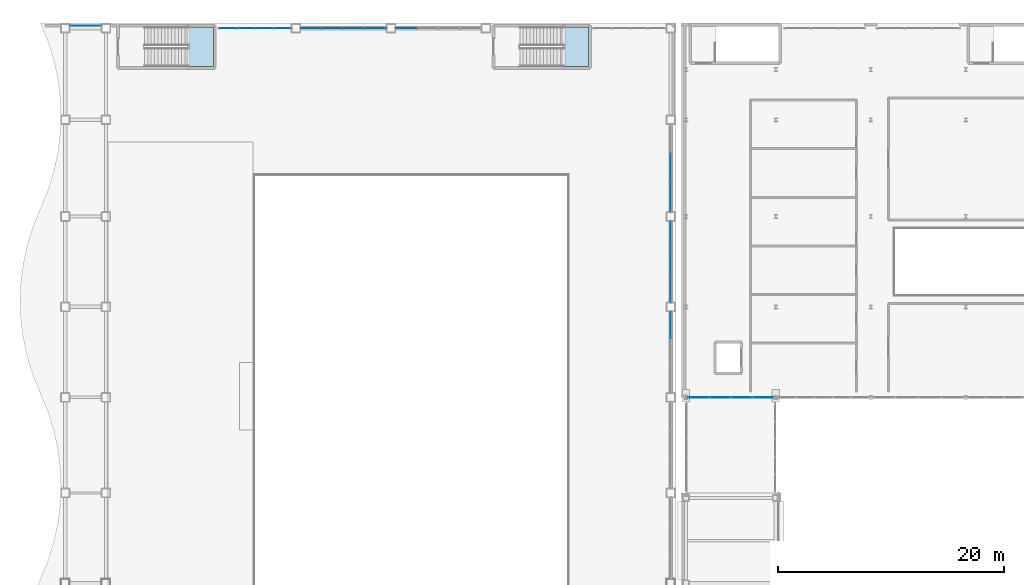
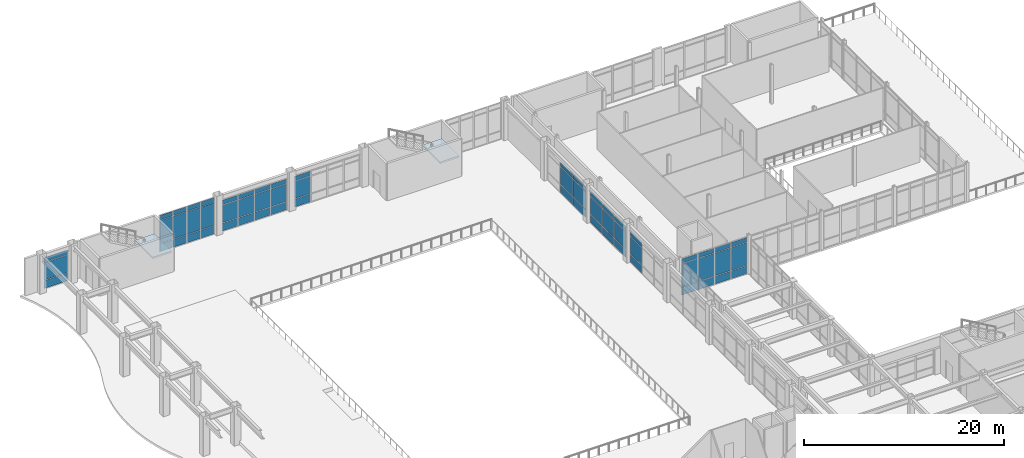
# One storey, part 121 of 154: 60 plates, 2 slabs, 10 elements without a shape of their own.
"""IFC4 building model written with IfcOpenShell, lengths in metres."""

from ifc_helpers import new_model, si_unit, direction, frame, origin, origin_2d, place, context, subcontext, project, spatial, polyline, rectangle, outline, extrude, material, layer, layer_set, type_object, element, aggregate, save


model = new_model("IFC4")

# Units and contexts
model_context = context("Model", 3, precision=1e-05, world=origin(), true_north=direction((0.0, 1.0)))
body_context = subcontext(model_context, "Body", "Model", "MODEL_VIEW")
ifc_project = project(units=[si_unit("LENGTHUNIT", "METRE"), si_unit("AREAUNIT", "SQUARE_METRE"), si_unit("VOLUMEUNIT", "CUBIC_METRE"), si_unit("PLANEANGLEUNIT", "RADIAN"), si_unit("MASSUNIT", "GRAM", prefix="KILO")], contexts=[model_context])

# Site, building, storey
site_placement = place(None, origin())
site = spatial("IfcSite", under=ifc_project, at=site_placement, CompositionType="ELEMENT")
building_placement = place(site_placement, origin())
building = spatial("IfcBuilding", under=site, at=building_placement, Name="Kazehara Bluff Congress Hotel", CompositionType="ELEMENT")
storey_placement = place(building_placement, frame((0.0, 0.0, 10.199951171875)))
storey = spatial("IfcBuildingStorey", under=building, at=storey_placement, Name="L02", CompositionType="ELEMENT", Elevation=10.199951171875)

# Curtain wall, plates
ifc_material_1 = material(Name="Anodised aluminium", Category="aluminium")
ifc_layer_1 = layer(ifc_material_1, 0.159912109375)
ifc_layer_set_1 = layer_set([ifc_layer_1], Name="Anodised aluminium")
curtain_wall_type_1 = type_object("IfcCurtainWallType", Name="TP-CW-10", PredefinedType="NOTDEFINED", material=ifc_layer_set_1)
curtain_wall_1_placement = place(storey_placement, origin())
curtain_wall_1 = element("IfcCurtainWall", 1, at=curtain_wall_1_placement, inside=storey, type_object=curtain_wall_type_1, Name="L02 curtain wall CW-10 CW-V1-L02-Y11355-2560", PredefinedType="NOTDEFINED")
ifc_material_2 = material(Name="Insulated low-E double glazing", Category="glass")
ifc_layer_2 = layer(ifc_material_2, 0.028076171875)
ifc_layer_set_2 = layer_set([ifc_layer_2], Name="Insulated low-E double glazing")
plate_type_1 = type_object("IfcPlateType", Name="TP-CWP-01", PredefinedType="CURTAIN_PANEL", material=ifc_layer_set_2)
plate_1_placement = place(storey_placement, frame((26.566162109375, 113.550048828125, 0.06494140625), z_axis=(0.0, 0.0, 1.0), x_axis=(1.0, 0.0, 0.0)))
plate_1 = element("IfcPlate", 2, at=plate_1_placement, type_object=plate_type_1, Name="CW-10 panel 1.1", PredefinedType="CURTAIN_PANEL", context=body_context, shape_type="SweptSolid", body=[
    extrude(rectangle(XDim=1.802490234375, YDim=0.028076171875, at=origin_2d()), origin(), (0.0, 0.0, 1.0), 0.952392578125),
])
plate_2_placement = place(storey_placement, frame((26.566162109375, 113.550048828125, 1.08251953125), z_axis=(0.0, 0.0, 1.0), x_axis=(1.0, 0.0, 0.0)))
plate_2 = element("IfcPlate", 3, at=plate_2_placement, type_object=plate_type_1, Name="CW-10 panel 1.2", PredefinedType="CURTAIN_PANEL", context=body_context, shape_type="SweptSolid", body=[
    extrude(rectangle(XDim=1.802490234375, YDim=0.028076171875, at=origin_2d()), origin(), (0.0, 0.0, 1.0), 2.1201171875),
])
plate_3_placement = place(storey_placement, frame((26.566162109375, 113.550048828125, 3.267578125), z_axis=(0.0, 0.0, 1.0), x_axis=(1.0, 0.0, 0.0)))
plate_3 = element("IfcPlate", 4, at=plate_3_placement, type_object=plate_type_1, Name="CW-10 panel 1.3", PredefinedType="CURTAIN_PANEL", context=body_context, shape_type="SweptSolid", body=[
    extrude(rectangle(XDim=1.802490234375, YDim=0.028076171875, at=origin_2d()), origin(), (0.0, 0.0, 1.0), 0.552490234375),
])
plate_4_placement = place(storey_placement, frame((28.449951171875, 113.550048828125, 0.06494140625), z_axis=(0.0, 0.0, 1.0), x_axis=(1.0, 0.0, 0.0)))
plate_4 = element("IfcPlate", 5, at=plate_4_placement, type_object=plate_type_1, Name="CW-10 panel 2.1", PredefinedType="CURTAIN_PANEL", context=body_context, shape_type="SweptSolid", body=[
    extrude(rectangle(XDim=1.8349609375, YDim=0.028076171875, at=origin_2d()), origin(), (0.0, 0.0, 1.0), 0.952392578125),
])
plate_5_placement = place(storey_placement, frame((28.449951171875, 113.550048828125, 1.08251953125), z_axis=(0.0, 0.0, 1.0), x_axis=(1.0, 0.0, 0.0)))
plate_5 = element("IfcPlate", 6, at=plate_5_placement, type_object=plate_type_1, Name="CW-10 panel 2.2", PredefinedType="CURTAIN_PANEL", context=body_context, shape_type="SweptSolid", body=[
    extrude(rectangle(XDim=1.8349609375, YDim=0.028076171875, at=origin_2d()), origin(), (0.0, 0.0, 1.0), 2.1201171875),
])
plate_6_placement = place(storey_placement, frame((28.449951171875, 113.550048828125, 3.267578125), z_axis=(0.0, 0.0, 1.0), x_axis=(1.0, 0.0, 0.0)))
plate_6 = element("IfcPlate", 7, at=plate_6_placement, type_object=plate_type_1, Name="CW-10 panel 2.3", PredefinedType="CURTAIN_PANEL", context=body_context, shape_type="SweptSolid", body=[
    extrude(rectangle(XDim=1.8349609375, YDim=0.028076171875, at=origin_2d()), origin(), (0.0, 0.0, 1.0), 0.552490234375),
])
plate_7_placement = place(storey_placement, frame((30.35009765625, 113.550048828125, 0.06494140625), z_axis=(0.0, 0.0, 1.0), x_axis=(1.0, 0.0, 0.0)))
plate_7 = element("IfcPlate", 8, at=plate_7_placement, type_object=plate_type_1, Name="CW-10 panel 3.1", PredefinedType="CURTAIN_PANEL", context=body_context, shape_type="SweptSolid", body=[
    extrude(rectangle(XDim=1.8349609375, YDim=0.028076171875, at=origin_2d()), origin(), (0.0, 0.0, 1.0), 0.952392578125),
])
plate_8_placement = place(storey_placement, frame((30.35009765625, 113.550048828125, 1.08251953125), z_axis=(0.0, 0.0, 1.0), x_axis=(1.0, 0.0, 0.0)))
plate_8 = element("IfcPlate", 9, at=plate_8_placement, type_object=plate_type_1, Name="CW-10 panel 3.2", PredefinedType="CURTAIN_PANEL", context=body_context, shape_type="SweptSolid", body=[
    extrude(rectangle(XDim=1.8349609375, YDim=0.028076171875, at=origin_2d()), origin(), (0.0, 0.0, 1.0), 2.1201171875),
])
plate_9_placement = place(storey_placement, frame((30.35009765625, 113.550048828125, 3.267578125), z_axis=(0.0, 0.0, 1.0), x_axis=(1.0, 0.0, 0.0)))
plate_9 = element("IfcPlate", 10, at=plate_9_placement, type_object=plate_type_1, Name="CW-10 panel 3.3", PredefinedType="CURTAIN_PANEL", context=body_context, shape_type="SweptSolid", body=[
    extrude(rectangle(XDim=1.8349609375, YDim=0.028076171875, at=origin_2d()), origin(), (0.0, 0.0, 1.0), 0.552490234375),
])
plate_10_placement = place(storey_placement, frame((32.233642578125, 113.550048828125, 0.06494140625), z_axis=(0.0, 0.0, 1.0), x_axis=(1.0, 0.0, 0.0)))
plate_10 = element("IfcPlate", 11, at=plate_10_placement, type_object=plate_type_1, Name="CW-10 panel 4.1", PredefinedType="CURTAIN_PANEL", context=body_context, shape_type="SweptSolid", body=[
    extrude(rectangle(XDim=1.802490234375, YDim=0.028076171875, at=origin_2d()), origin(), (0.0, 0.0, 1.0), 0.952392578125),
])
plate_11_placement = place(storey_placement, frame((32.233642578125, 113.550048828125, 1.08251953125), z_axis=(0.0, 0.0, 1.0), x_axis=(1.0, 0.0, 0.0)))
plate_11 = element("IfcPlate", 12, at=plate_11_placement, type_object=plate_type_1, Name="CW-10 panel 4.2", PredefinedType="CURTAIN_PANEL", context=body_context, shape_type="SweptSolid", body=[
    extrude(rectangle(XDim=1.802490234375, YDim=0.028076171875, at=origin_2d()), origin(), (0.0, 0.0, 1.0), 2.1201171875),
])
plate_12_placement = place(storey_placement, frame((32.233642578125, 113.550048828125, 3.267578125), z_axis=(0.0, 0.0, 1.0), x_axis=(1.0, 0.0, 0.0)))
plate_12 = element("IfcPlate", 13, at=plate_12_placement, type_object=plate_type_1, Name="CW-10 panel 4.3", PredefinedType="CURTAIN_PANEL", context=body_context, shape_type="SweptSolid", body=[
    extrude(rectangle(XDim=1.802490234375, YDim=0.028076171875, at=origin_2d()), origin(), (0.0, 0.0, 1.0), 0.552490234375),
])
aggregate(curtain_wall_1, [plate_1, plate_2, plate_3, plate_4, plate_5, plate_6, plate_7, plate_8, plate_9, plate_10, plate_11, plate_12])

curtain_wall_2_placement = place(storey_placement, origin())
curtain_wall_2 = element("IfcCurtainWall", 14, at=curtain_wall_2_placement, inside=storey, type_object=curtain_wall_type_1, Name="L02 curtain wall CW-10 CW-V1-L02-Y11355-3400", PredefinedType="NOTDEFINED")
plate_13_placement = place(storey_placement, frame((34.96630859375, 113.550048828125, 0.06494140625), z_axis=(0.0, 0.0, 1.0), x_axis=(1.0, 0.0, 0.0)))
plate_13 = element("IfcPlate", 15, at=plate_13_placement, type_object=plate_type_1, Name="CW-10 panel 1.1", PredefinedType="CURTAIN_PANEL", context=body_context, shape_type="SweptSolid", body=[
    extrude(rectangle(XDim=1.802490234375, YDim=0.028076171875, at=origin_2d()), origin(), (0.0, 0.0, 1.0), 0.952392578125),
])
plate_14_placement = place(storey_placement, frame((34.96630859375, 113.550048828125, 1.08251953125), z_axis=(0.0, 0.0, 1.0), x_axis=(1.0, 0.0, 0.0)))
plate_14 = element("IfcPlate", 16, at=plate_14_placement, type_object=plate_type_1, Name="CW-10 panel 1.2", PredefinedType="CURTAIN_PANEL", context=body_context, shape_type="SweptSolid", body=[
    extrude(rectangle(XDim=1.802490234375, YDim=0.028076171875, at=origin_2d()), origin(), (0.0, 0.0, 1.0), 2.1201171875),
])
plate_15_placement = place(storey_placement, frame((34.96630859375, 113.550048828125, 3.267578125), z_axis=(0.0, 0.0, 1.0), x_axis=(1.0, 0.0, 0.0)))
plate_15 = element("IfcPlate", 17, at=plate_15_placement, type_object=plate_type_1, Name="CW-10 panel 1.3", PredefinedType="CURTAIN_PANEL", context=body_context, shape_type="SweptSolid", body=[
    extrude(rectangle(XDim=1.802490234375, YDim=0.028076171875, at=origin_2d()), origin(), (0.0, 0.0, 1.0), 0.552490234375),
])
aggregate(curtain_wall_2, [plate_13, plate_14, plate_15])

ifc_material_3 = material(Name="Anodised aluminium", Category="aluminium")
ifc_layer_3 = layer(ifc_material_3, 0.159912109375)
ifc_layer_set_3 = layer_set([ifc_layer_3], Name="Anodised aluminium")
curtain_wall_type_2 = type_object("IfcCurtainWallType", Name="TP-CW-23", PredefinedType="NOTDEFINED", material=ifc_layer_set_3)
curtain_wall_3_placement = place(storey_placement, origin())
curtain_wall_3 = element("IfcCurtainWall", 18, at=curtain_wall_3_placement, inside=storey, type_object=curtain_wall_type_2, Name="L02 curtain wall CW-23 CW-V1-L02-X5835-8130", PredefinedType="NOTDEFINED")
plate_16_placement = place(storey_placement, frame((58.35009765625, 87.28369140625, 0.06494140625), z_axis=(0.0, 0.0, 1.0), x_axis=(0.0, 1.0, 0.0)))
plate_16 = element("IfcPlate", 19, at=plate_16_placement, type_object=plate_type_1, Name="CW-23 panel 3.1", PredefinedType="CURTAIN_PANEL", context=body_context, shape_type="SweptSolid", body=[
    extrude(rectangle(XDim=2.302490234375, YDim=0.028076171875, at=origin_2d()), origin(), (0.0, 0.0, 1.0), 0.952392578125),
])
plate_17_placement = place(storey_placement, frame((58.35009765625, 87.28369140625, 1.08251953125), z_axis=(0.0, 0.0, 1.0), x_axis=(0.0, 1.0, 0.0)))
plate_17 = element("IfcPlate", 20, at=plate_17_placement, type_object=plate_type_1, Name="CW-23 panel 3.2", PredefinedType="CURTAIN_PANEL", context=body_context, shape_type="SweptSolid", body=[
    extrude(rectangle(XDim=2.302490234375, YDim=0.028076171875, at=origin_2d()), origin(), (0.0, 0.0, 1.0), 2.1201171875),
])
plate_18_placement = place(storey_placement, frame((58.35009765625, 87.28369140625, 3.267578125), z_axis=(0.0, 0.0, 1.0), x_axis=(0.0, 1.0, 0.0)))
plate_18 = element("IfcPlate", 21, at=plate_18_placement, type_object=plate_type_1, Name="CW-23 panel 3.3", PredefinedType="CURTAIN_PANEL", context=body_context, shape_type="SweptSolid", body=[
    extrude(rectangle(XDim=2.302490234375, YDim=0.028076171875, at=origin_2d()), origin(), (0.0, 0.0, 1.0), 0.552490234375),
])
aggregate(curtain_wall_3, [plate_16, plate_17, plate_18])

curtain_wall_4_placement = place(storey_placement, origin())
curtain_wall_4 = element("IfcCurtainWall", 22, at=curtain_wall_4_placement, inside=storey, type_object=curtain_wall_type_2, Name="L02 curtain wall CW-23 CW-V1-L02-X5835-8930", PredefinedType="NOTDEFINED")
plate_19_placement = place(storey_placement, frame((58.35009765625, 90.516357421875, 0.06494140625), z_axis=(0.0, 0.0, 1.0), x_axis=(0.0, 1.0, 0.0)))
plate_19 = element("IfcPlate", 23, at=plate_19_placement, type_object=plate_type_1, Name="CW-23 panel 1.1", PredefinedType="CURTAIN_PANEL", context=body_context, shape_type="SweptSolid", body=[
    extrude(rectangle(XDim=2.302490234375, YDim=0.028076171875, at=origin_2d()), origin(), (0.0, 0.0, 1.0), 0.952392578125),
])
plate_20_placement = place(storey_placement, frame((58.35009765625, 90.516357421875, 1.08251953125), z_axis=(0.0, 0.0, 1.0), x_axis=(0.0, 1.0, 0.0)))
plate_20 = element("IfcPlate", 24, at=plate_20_placement, type_object=plate_type_1, Name="CW-23 panel 1.2", PredefinedType="CURTAIN_PANEL", context=body_context, shape_type="SweptSolid", body=[
    extrude(rectangle(XDim=2.302490234375, YDim=0.028076171875, at=origin_2d()), origin(), (0.0, 0.0, 1.0), 2.1201171875),
])
plate_21_placement = place(storey_placement, frame((58.35009765625, 90.516357421875, 3.267578125), z_axis=(0.0, 0.0, 1.0), x_axis=(0.0, 1.0, 0.0)))
plate_21 = element("IfcPlate", 25, at=plate_21_placement, type_object=plate_type_1, Name="CW-23 panel 1.3", PredefinedType="CURTAIN_PANEL", context=body_context, shape_type="SweptSolid", body=[
    extrude(rectangle(XDim=2.302490234375, YDim=0.028076171875, at=origin_2d()), origin(), (0.0, 0.0, 1.0), 0.552490234375),
])
plate_22_placement = place(storey_placement, frame((58.35009765625, 92.89990234375, 0.06494140625), z_axis=(0.0, 0.0, 1.0), x_axis=(0.0, 1.0, 0.0)))
plate_22 = element("IfcPlate", 26, at=plate_22_placement, type_object=plate_type_1, Name="CW-23 panel 2.1", PredefinedType="CURTAIN_PANEL", context=body_context, shape_type="SweptSolid", body=[
    extrude(rectangle(XDim=2.3349609375, YDim=0.028076171875, at=origin_2d()), origin(), (0.0, 0.0, 1.0), 0.952392578125),
])
plate_23_placement = place(storey_placement, frame((58.35009765625, 92.89990234375, 1.08251953125), z_axis=(0.0, 0.0, 1.0), x_axis=(0.0, 1.0, 0.0)))
plate_23 = element("IfcPlate", 27, at=plate_23_placement, type_object=plate_type_1, Name="CW-23 panel 2.2", PredefinedType="CURTAIN_PANEL", context=body_context, shape_type="SweptSolid", body=[
    extrude(rectangle(XDim=2.3349609375, YDim=0.028076171875, at=origin_2d()), origin(), (0.0, 0.0, 1.0), 2.1201171875),
])
plate_24_placement = place(storey_placement, frame((58.35009765625, 92.89990234375, 3.267578125), z_axis=(0.0, 0.0, 1.0), x_axis=(0.0, 1.0, 0.0)))
plate_24 = element("IfcPlate", 28, at=plate_24_placement, type_object=plate_type_1, Name="CW-23 panel 2.3", PredefinedType="CURTAIN_PANEL", context=body_context, shape_type="SweptSolid", body=[
    extrude(rectangle(XDim=2.3349609375, YDim=0.028076171875, at=origin_2d()), origin(), (0.0, 0.0, 1.0), 0.552490234375),
])
plate_25_placement = place(storey_placement, frame((58.35009765625, 95.28369140625, 0.06494140625), z_axis=(0.0, 0.0, 1.0), x_axis=(0.0, 1.0, 0.0)))
plate_25 = element("IfcPlate", 29, at=plate_25_placement, type_object=plate_type_1, Name="CW-23 panel 3.1", PredefinedType="CURTAIN_PANEL", context=body_context, shape_type="SweptSolid", body=[
    extrude(rectangle(XDim=2.302490234375, YDim=0.028076171875, at=origin_2d()), origin(), (0.0, 0.0, 1.0), 0.952392578125),
])
plate_26_placement = place(storey_placement, frame((58.35009765625, 95.28369140625, 1.08251953125), z_axis=(0.0, 0.0, 1.0), x_axis=(0.0, 1.0, 0.0)))
plate_26 = element("IfcPlate", 30, at=plate_26_placement, type_object=plate_type_1, Name="CW-23 panel 3.2", PredefinedType="CURTAIN_PANEL", context=body_context, shape_type="SweptSolid", body=[
    extrude(rectangle(XDim=2.302490234375, YDim=0.028076171875, at=origin_2d()), origin(), (0.0, 0.0, 1.0), 2.1201171875),
])
plate_27_placement = place(storey_placement, frame((58.35009765625, 95.28369140625, 3.267578125), z_axis=(0.0, 0.0, 1.0), x_axis=(0.0, 1.0, 0.0)))
plate_27 = element("IfcPlate", 31, at=plate_27_placement, type_object=plate_type_1, Name="CW-23 panel 3.3", PredefinedType="CURTAIN_PANEL", context=body_context, shape_type="SweptSolid", body=[
    extrude(rectangle(XDim=2.302490234375, YDim=0.028076171875, at=origin_2d()), origin(), (0.0, 0.0, 1.0), 0.552490234375),
])
aggregate(curtain_wall_4, [plate_19, plate_20, plate_21, plate_22, plate_23, plate_24, plate_25, plate_26, plate_27])

ifc_material_4 = material(Name="Anodised aluminium", Category="aluminium")
ifc_layer_4 = layer(ifc_material_4, 0.159912109375)
ifc_layer_set_4 = layer_set([ifc_layer_4], Name="Anodised aluminium")
curtain_wall_type_3 = type_object("IfcCurtainWallType", Name="TP-CW-24", PredefinedType="NOTDEFINED", material=ifc_layer_set_4)
curtain_wall_5_placement = place(storey_placement, origin())
curtain_wall_5 = element("IfcCurtainWall", 32, at=curtain_wall_5_placement, inside=storey, type_object=curtain_wall_type_3, Name="L02 curtain wall CW-24 CW-V1-L02-X5835-9730", PredefinedType="NOTDEFINED")
plate_28_placement = place(storey_placement, frame((58.35009765625, 98.60791015625, 0.06494140625), z_axis=(0.0, 0.0, 1.0), x_axis=(0.0, 1.0, 0.0)))
plate_28 = element("IfcPlate", 33, at=plate_28_placement, type_object=plate_type_1, Name="CW-24 panel 1.1", PredefinedType="CURTAIN_PANEL", context=body_context, shape_type="SweptSolid", body=[
    extrude(rectangle(XDim=2.48583984375, YDim=0.028076171875, at=origin_2d()), origin(), (0.0, 0.0, 1.0), 0.952392578125),
])
plate_29_placement = place(storey_placement, frame((58.35009765625, 98.60791015625, 1.08251953125), z_axis=(0.0, 0.0, 1.0), x_axis=(0.0, 1.0, 0.0)))
plate_29 = element("IfcPlate", 34, at=plate_29_placement, type_object=plate_type_1, Name="CW-24 panel 1.2", PredefinedType="CURTAIN_PANEL", context=body_context, shape_type="SweptSolid", body=[
    extrude(rectangle(XDim=2.48583984375, YDim=0.028076171875, at=origin_2d()), origin(), (0.0, 0.0, 1.0), 2.1201171875),
])
plate_30_placement = place(storey_placement, frame((58.35009765625, 98.60791015625, 3.267578125), z_axis=(0.0, 0.0, 1.0), x_axis=(0.0, 1.0, 0.0)))
plate_30 = element("IfcPlate", 35, at=plate_30_placement, type_object=plate_type_1, Name="CW-24 panel 1.3", PredefinedType="CURTAIN_PANEL", context=body_context, shape_type="SweptSolid", body=[
    extrude(rectangle(XDim=2.48583984375, YDim=0.028076171875, at=origin_2d()), origin(), (0.0, 0.0, 1.0), 0.552490234375),
])
plate_31_placement = place(storey_placement, frame((58.35009765625, 101.175048828125, 0.06494140625), z_axis=(0.0, 0.0, 1.0), x_axis=(0.0, 1.0, 0.0)))
plate_31 = element("IfcPlate", 36, at=plate_31_placement, type_object=plate_type_1, Name="CW-24 panel 2.1", PredefinedType="CURTAIN_PANEL", context=body_context, shape_type="SweptSolid", body=[
    extrude(rectangle(XDim=2.518310546875, YDim=0.028076171875, at=origin_2d()), origin(), (0.0, 0.0, 1.0), 0.952392578125),
])
plate_32_placement = place(storey_placement, frame((58.35009765625, 101.175048828125, 1.08251953125), z_axis=(0.0, 0.0, 1.0), x_axis=(0.0, 1.0, 0.0)))
plate_32 = element("IfcPlate", 37, at=plate_32_placement, type_object=plate_type_1, Name="CW-24 panel 2.2", PredefinedType="CURTAIN_PANEL", context=body_context, shape_type="SweptSolid", body=[
    extrude(rectangle(XDim=2.518310546875, YDim=0.028076171875, at=origin_2d()), origin(), (0.0, 0.0, 1.0), 2.1201171875),
])
plate_33_placement = place(storey_placement, frame((58.35009765625, 101.175048828125, 3.267578125), z_axis=(0.0, 0.0, 1.0), x_axis=(0.0, 1.0, 0.0)))
plate_33 = element("IfcPlate", 38, at=plate_33_placement, type_object=plate_type_1, Name="CW-24 panel 2.3", PredefinedType="CURTAIN_PANEL", context=body_context, shape_type="SweptSolid", body=[
    extrude(rectangle(XDim=2.518310546875, YDim=0.028076171875, at=origin_2d()), origin(), (0.0, 0.0, 1.0), 0.552490234375),
])
aggregate(curtain_wall_5, [plate_28, plate_29, plate_30, plate_31, plate_32, plate_33])

ifc_material_5 = material(Name="Anodised aluminium", Category="aluminium")
ifc_layer_5 = layer(ifc_material_5, 0.159912109375)
ifc_layer_set_5 = layer_set([ifc_layer_5], Name="Anodised aluminium")
curtain_wall_type_4 = type_object("IfcCurtainWallType", Name="TP-CW-09", PredefinedType="NOTDEFINED", material=ifc_layer_set_5)
curtain_wall_6_placement = place(storey_placement, origin())
curtain_wall_6 = element("IfcCurtainWall", 39, at=curtain_wall_6_placement, inside=storey, type_object=curtain_wall_type_4, Name="L02 curtain wall CW-09 CW-V1-L02-Y11355-1840", PredefinedType="NOTDEFINED")
ifc_material_6 = material(Name="Insulated low-E double glazing", Category="glass")
ifc_layer_6 = layer(ifc_material_6, 0.031982421875)
ifc_layer_set_6 = layer_set([ifc_layer_6], Name="Insulated low-E double glazing")
plate_type_2 = type_object("IfcPlateType", Name="TP-CWP-02", PredefinedType="CURTAIN_PANEL", material=ifc_layer_set_6)
plate_34_placement = place(storey_placement, frame((19.217529296875, 113.550048828125, 0.06005859375), z_axis=(0.0, 0.0, 1.0), x_axis=(1.0, 0.0, 0.0)))
plate_34 = element("IfcPlate", 40, at=plate_34_placement, type_object=plate_type_2, Name="CW-09 panel 1.1", PredefinedType="CURTAIN_PANEL", context=body_context, shape_type="SweptSolid", body=[
    extrude(rectangle(XDim=1.4951171875, YDim=0.031982421875, at=origin_2d()), origin(), (0.0, 0.0, 1.0), 0.9599609375),
])
plate_35_placement = place(storey_placement, frame((19.217529296875, 113.550048828125, 1.080078125), z_axis=(0.0, 0.0, 1.0), x_axis=(1.0, 0.0, 0.0)))
plate_35 = element("IfcPlate", 41, at=plate_35_placement, type_object=plate_type_2, Name="CW-09 panel 1.2", PredefinedType="CURTAIN_PANEL", context=body_context, shape_type="SweptSolid", body=[
    extrude(rectangle(XDim=1.4951171875, YDim=0.031982421875, at=origin_2d()), origin(), (0.0, 0.0, 1.0), 2.784912109375),
])
plate_36_placement = place(storey_placement, frame((19.217529296875, 113.550048828125, 3.925048828125), z_axis=(0.0, 0.0, 1.0), x_axis=(1.0, 0.0, 0.0)))
plate_36 = element("IfcPlate", 42, at=plate_36_placement, type_object=plate_type_2, Name="CW-09 panel 1.3", PredefinedType="CURTAIN_PANEL", context=body_context, shape_type="SweptSolid", body=[
    extrude(rectangle(XDim=1.4951171875, YDim=0.031982421875, at=origin_2d()), origin(), (0.0, 0.0, 1.0), 0.56005859375),
])
plate_37_placement = place(storey_placement, frame((20.800048828125, 113.550048828125, 0.06005859375), z_axis=(0.0, 0.0, 1.0), x_axis=(1.0, 0.0, 0.0)))
plate_37 = element("IfcPlate", 43, at=plate_37_placement, type_object=plate_type_2, Name="CW-09 panel 2.1", PredefinedType="CURTAIN_PANEL", context=body_context, shape_type="SweptSolid", body=[
    extrude(rectangle(XDim=1.530029296875, YDim=0.031982421875, at=origin_2d()), origin(), (0.0, 0.0, 1.0), 0.9599609375),
])
plate_38_placement = place(storey_placement, frame((20.800048828125, 113.550048828125, 1.080078125), z_axis=(0.0, 0.0, 1.0), x_axis=(1.0, 0.0, 0.0)))
plate_38 = element("IfcPlate", 44, at=plate_38_placement, type_object=plate_type_2, Name="CW-09 panel 2.2", PredefinedType="CURTAIN_PANEL", context=body_context, shape_type="SweptSolid", body=[
    extrude(rectangle(XDim=1.530029296875, YDim=0.031982421875, at=origin_2d()), origin(), (0.0, 0.0, 1.0), 2.784912109375),
])
plate_39_placement = place(storey_placement, frame((20.800048828125, 113.550048828125, 3.925048828125), z_axis=(0.0, 0.0, 1.0), x_axis=(1.0, 0.0, 0.0)))
plate_39 = element("IfcPlate", 45, at=plate_39_placement, type_object=plate_type_2, Name="CW-09 panel 2.3", PredefinedType="CURTAIN_PANEL", context=body_context, shape_type="SweptSolid", body=[
    extrude(rectangle(XDim=1.530029296875, YDim=0.031982421875, at=origin_2d()), origin(), (0.0, 0.0, 1.0), 0.56005859375),
])
plate_40_placement = place(storey_placement, frame((22.39990234375, 113.550048828125, 0.06005859375), z_axis=(0.0, 0.0, 1.0), x_axis=(1.0, 0.0, 0.0)))
plate_40 = element("IfcPlate", 46, at=plate_40_placement, type_object=plate_type_2, Name="CW-09 panel 3.1", PredefinedType="CURTAIN_PANEL", context=body_context, shape_type="SweptSolid", body=[
    extrude(rectangle(XDim=1.530029296875, YDim=0.031982421875, at=origin_2d()), origin(), (0.0, 0.0, 1.0), 0.9599609375),
])
plate_41_placement = place(storey_placement, frame((22.39990234375, 113.550048828125, 1.080078125), z_axis=(0.0, 0.0, 1.0), x_axis=(1.0, 0.0, 0.0)))
plate_41 = element("IfcPlate", 47, at=plate_41_placement, type_object=plate_type_2, Name="CW-09 panel 3.2", PredefinedType="CURTAIN_PANEL", context=body_context, shape_type="SweptSolid", body=[
    extrude(rectangle(XDim=1.530029296875, YDim=0.031982421875, at=origin_2d()), origin(), (0.0, 0.0, 1.0), 2.784912109375),
])
plate_42_placement = place(storey_placement, frame((22.39990234375, 113.550048828125, 3.925048828125), z_axis=(0.0, 0.0, 1.0), x_axis=(1.0, 0.0, 0.0)))
plate_42 = element("IfcPlate", 48, at=plate_42_placement, type_object=plate_type_2, Name="CW-09 panel 3.3", PredefinedType="CURTAIN_PANEL", context=body_context, shape_type="SweptSolid", body=[
    extrude(rectangle(XDim=1.530029296875, YDim=0.031982421875, at=origin_2d()), origin(), (0.0, 0.0, 1.0), 0.56005859375),
])
plate_43_placement = place(storey_placement, frame((23.982421875, 113.550048828125, 0.06005859375), z_axis=(0.0, 0.0, 1.0), x_axis=(1.0, 0.0, 0.0)))
plate_43 = element("IfcPlate", 49, at=plate_43_placement, type_object=plate_type_2, Name="CW-09 panel 4.1", PredefinedType="CURTAIN_PANEL", context=body_context, shape_type="SweptSolid", body=[
    extrude(rectangle(XDim=1.4951171875, YDim=0.031982421875, at=origin_2d()), origin(), (0.0, 0.0, 1.0), 0.9599609375),
])
plate_44_placement = place(storey_placement, frame((23.982421875, 113.550048828125, 1.080078125), z_axis=(0.0, 0.0, 1.0), x_axis=(1.0, 0.0, 0.0)))
plate_44 = element("IfcPlate", 50, at=plate_44_placement, type_object=plate_type_2, Name="CW-09 panel 4.2", PredefinedType="CURTAIN_PANEL", context=body_context, shape_type="SweptSolid", body=[
    extrude(rectangle(XDim=1.4951171875, YDim=0.031982421875, at=origin_2d()), origin(), (0.0, 0.0, 1.0), 2.784912109375),
])
plate_45_placement = place(storey_placement, frame((23.982421875, 113.550048828125, 3.925048828125), z_axis=(0.0, 0.0, 1.0), x_axis=(1.0, 0.0, 0.0)))
plate_45 = element("IfcPlate", 51, at=plate_45_placement, type_object=plate_type_2, Name="CW-09 panel 4.3", PredefinedType="CURTAIN_PANEL", context=body_context, shape_type="SweptSolid", body=[
    extrude(rectangle(XDim=1.4951171875, YDim=0.031982421875, at=origin_2d()), origin(), (0.0, 0.0, 1.0), 0.56005859375),
])
aggregate(curtain_wall_6, [plate_34, plate_35, plate_36, plate_37, plate_38, plate_39, plate_40, plate_41, plate_42, plate_43, plate_44, plate_45])

ifc_material_7 = material(Name="Anodised aluminium", Category="aluminium")
ifc_layer_7 = layer(ifc_material_7, 0.159912109375)
ifc_layer_set_7 = layer_set([ifc_layer_7], Name="Anodised aluminium")
curtain_wall_type_5 = type_object("IfcCurtainWallType", Name="TP-CW-38", PredefinedType="NOTDEFINED", material=ifc_layer_set_7)
curtain_wall_7_placement = place(storey_placement, origin())
curtain_wall_7 = element("IfcCurtainWall", 52, at=curtain_wall_7_placement, inside=storey, type_object=curtain_wall_type_5, Name="L02 curtain wall CW-38 CW-V3-L02-Y8090-5985", PredefinedType="NOTDEFINED")
plate_46_placement = place(storey_placement, frame((60.82373046875, 80.89990234375, 0.06494140625), z_axis=(0.0, 0.0, 1.0), x_axis=(1.0, 0.0, 0.0)))
plate_46 = element("IfcPlate", 53, at=plate_46_placement, type_object=plate_type_2, Name="CW-38 panel 1.1", PredefinedType="CURTAIN_PANEL", context=body_context, shape_type="SweptSolid", body=[
    extrude(rectangle(XDim=1.8076171875, YDim=0.031982421875, at=origin_2d()), origin(), (0.0, 0.0, 1.0), 0.952392578125),
])
plate_47_placement = place(storey_placement, frame((60.82373046875, 80.89990234375, 1.08251953125), z_axis=(0.0, 0.0, 1.0), x_axis=(1.0, 0.0, 0.0)))
plate_47 = element("IfcPlate", 54, at=plate_47_placement, type_object=plate_type_2, Name="CW-38 panel 1.2", PredefinedType="CURTAIN_PANEL", context=body_context, shape_type="SweptSolid", body=[
    extrude(rectangle(XDim=1.8076171875, YDim=0.031982421875, at=origin_2d()), origin(), (0.0, 0.0, 1.0), 2.780029296875),
])
plate_48_placement = place(storey_placement, frame((60.82373046875, 80.89990234375, 3.927734375), z_axis=(0.0, 0.0, 1.0), x_axis=(1.0, 0.0, 0.0)))
plate_48 = element("IfcPlate", 55, at=plate_48_placement, type_object=plate_type_2, Name="CW-38 panel 1.3", PredefinedType="CURTAIN_PANEL", context=body_context, shape_type="SweptSolid", body=[
    extrude(rectangle(XDim=1.8076171875, YDim=0.031982421875, at=origin_2d()), origin(), (0.0, 0.0, 1.0), 0.552490234375),
])
plate_49_placement = place(storey_placement, frame((62.71875, 80.89990234375, 0.06494140625), z_axis=(0.0, 0.0, 1.0), x_axis=(1.0, 0.0, 0.0)))
plate_49 = element("IfcPlate", 56, at=plate_49_placement, type_object=plate_type_2, Name="CW-38 panel 2.1", PredefinedType="CURTAIN_PANEL", context=body_context, shape_type="SweptSolid", body=[
    extrude(rectangle(XDim=1.842529296875, YDim=0.031982421875, at=origin_2d()), origin(), (0.0, 0.0, 1.0), 0.952392578125),
])
plate_50_placement = place(storey_placement, frame((62.71875, 80.89990234375, 1.08251953125), z_axis=(0.0, 0.0, 1.0), x_axis=(1.0, 0.0, 0.0)))
plate_50 = element("IfcPlate", 57, at=plate_50_placement, type_object=plate_type_2, Name="CW-38 panel 2.2", PredefinedType="CURTAIN_PANEL", context=body_context, shape_type="SweptSolid", body=[
    extrude(rectangle(XDim=1.842529296875, YDim=0.031982421875, at=origin_2d()), origin(), (0.0, 0.0, 1.0), 2.780029296875),
])
plate_51_placement = place(storey_placement, frame((62.71875, 80.89990234375, 3.927734375), z_axis=(0.0, 0.0, 1.0), x_axis=(1.0, 0.0, 0.0)))
plate_51 = element("IfcPlate", 58, at=plate_51_placement, type_object=plate_type_2, Name="CW-38 panel 2.3", PredefinedType="CURTAIN_PANEL", context=body_context, shape_type="SweptSolid", body=[
    extrude(rectangle(XDim=1.842529296875, YDim=0.031982421875, at=origin_2d()), origin(), (0.0, 0.0, 1.0), 0.552490234375),
])
plate_52_placement = place(storey_placement, frame((64.63134765625, 80.89990234375, 0.06494140625), z_axis=(0.0, 0.0, 1.0), x_axis=(1.0, 0.0, 0.0)))
plate_52 = element("IfcPlate", 59, at=plate_52_placement, type_object=plate_type_2, Name="CW-38 panel 3.1", PredefinedType="CURTAIN_PANEL", context=body_context, shape_type="SweptSolid", body=[
    extrude(rectangle(XDim=1.842529296875, YDim=0.031982421875, at=origin_2d()), origin(), (0.0, 0.0, 1.0), 0.952392578125),
])
plate_53_placement = place(storey_placement, frame((64.63134765625, 80.89990234375, 1.08251953125), z_axis=(0.0, 0.0, 1.0), x_axis=(1.0, 0.0, 0.0)))
plate_53 = element("IfcPlate", 60, at=plate_53_placement, type_object=plate_type_2, Name="CW-38 panel 3.2", PredefinedType="CURTAIN_PANEL", context=body_context, shape_type="SweptSolid", body=[
    extrude(rectangle(XDim=1.842529296875, YDim=0.031982421875, at=origin_2d()), origin(), (0.0, 0.0, 1.0), 2.780029296875),
])
plate_54_placement = place(storey_placement, frame((64.63134765625, 80.89990234375, 3.927734375), z_axis=(0.0, 0.0, 1.0), x_axis=(1.0, 0.0, 0.0)))
plate_54 = element("IfcPlate", 61, at=plate_54_placement, type_object=plate_type_2, Name="CW-38 panel 3.3", PredefinedType="CURTAIN_PANEL", context=body_context, shape_type="SweptSolid", body=[
    extrude(rectangle(XDim=1.842529296875, YDim=0.031982421875, at=origin_2d()), origin(), (0.0, 0.0, 1.0), 0.552490234375),
])
plate_55_placement = place(storey_placement, frame((66.5263671875, 80.89990234375, 0.06494140625), z_axis=(0.0, 0.0, 1.0), x_axis=(1.0, 0.0, 0.0)))
plate_55 = element("IfcPlate", 62, at=plate_55_placement, type_object=plate_type_2, Name="CW-38 panel 4.1", PredefinedType="CURTAIN_PANEL", context=body_context, shape_type="SweptSolid", body=[
    extrude(rectangle(XDim=1.8076171875, YDim=0.031982421875, at=origin_2d()), origin(), (0.0, 0.0, 1.0), 0.952392578125),
])
plate_56_placement = place(storey_placement, frame((66.5263671875, 80.89990234375, 1.08251953125), z_axis=(0.0, 0.0, 1.0), x_axis=(1.0, 0.0, 0.0)))
plate_56 = element("IfcPlate", 63, at=plate_56_placement, type_object=plate_type_2, Name="CW-38 panel 4.2", PredefinedType="CURTAIN_PANEL", context=body_context, shape_type="SweptSolid", body=[
    extrude(rectangle(XDim=1.8076171875, YDim=0.031982421875, at=origin_2d()), origin(), (0.0, 0.0, 1.0), 2.780029296875),
])
plate_57_placement = place(storey_placement, frame((66.5263671875, 80.89990234375, 3.927734375), z_axis=(0.0, 0.0, 1.0), x_axis=(1.0, 0.0, 0.0)))
plate_57 = element("IfcPlate", 64, at=plate_57_placement, type_object=plate_type_2, Name="CW-38 panel 4.3", PredefinedType="CURTAIN_PANEL", context=body_context, shape_type="SweptSolid", body=[
    extrude(rectangle(XDim=1.8076171875, YDim=0.031982421875, at=origin_2d()), origin(), (0.0, 0.0, 1.0), 0.552490234375),
])
aggregate(curtain_wall_7, [plate_46, plate_47, plate_48, plate_49, plate_50, plate_51, plate_52, plate_53, plate_54, plate_55, plate_56, plate_57])

ifc_material_8 = material(Name="Anodised aluminium", Category="aluminium")
ifc_layer_8 = layer(ifc_material_8, 0.159912109375)
ifc_layer_set_8 = layer_set([ifc_layer_8], Name="Anodised aluminium")
curtain_wall_type_6 = type_object("IfcCurtainWallType", Name="TP-CW-125", PredefinedType="NOTDEFINED", material=ifc_layer_set_8)
curtain_wall_8_placement = place(storey_placement, origin())
curtain_wall_8 = element("IfcCurtainWall", 65, at=curtain_wall_8_placement, inside=storey, type_object=curtain_wall_type_6, Name="L02 curtain wall CW-125 CW-ENC-V1-L02-660-11378", PredefinedType="NOTDEFINED")
ifc_material_9 = material(Name="Insulated low-E double glazing", Category="glass")
ifc_layer_9 = layer(ifc_material_9, 0.02001953125)
ifc_layer_set_9 = layer_set([ifc_layer_9], Name="Insulated low-E double glazing")
plate_type_3 = type_object("IfcPlateType", Name="TP-CWP-03", PredefinedType="CURTAIN_PANEL", material=ifc_layer_set_9)
plate_58_placement = place(storey_placement, frame((6.60009765625, 113.780029296875, 0.06005859375), z_axis=(0.0, 0.0, 1.0), x_axis=(1.0, 0.0, 0.0)))
plate_58 = element("IfcPlate", 66, at=plate_58_placement, type_object=plate_type_3, Name="CW-125 panel 1.1", PredefinedType="CURTAIN_PANEL", context=body_context, shape_type="SweptSolid", body=[
    extrude(rectangle(XDim=2.679931640625, YDim=0.02001953125, at=origin_2d()), origin(), (0.0, 0.0, 1.0), 0.9599609375),
])
plate_59_placement = place(storey_placement, frame((6.60009765625, 113.780029296875, 1.080078125), z_axis=(0.0, 0.0, 1.0), x_axis=(1.0, 0.0, 0.0)))
plate_59 = element("IfcPlate", 67, at=plate_59_placement, type_object=plate_type_3, Name="CW-125 panel 1.2", PredefinedType="CURTAIN_PANEL", context=body_context, shape_type="SweptSolid", body=[
    extrude(rectangle(XDim=2.679931640625, YDim=0.02001953125, at=origin_2d()), origin(), (0.0, 0.0, 1.0), 2.125),
])
plate_60_placement = place(storey_placement, frame((6.60009765625, 113.780029296875, 3.26513671875), z_axis=(0.0, 0.0, 1.0), x_axis=(1.0, 0.0, 0.0)))
plate_60 = element("IfcPlate", 68, at=plate_60_placement, type_object=plate_type_3, Name="CW-125 panel 1.3", PredefinedType="CURTAIN_PANEL", context=body_context, shape_type="SweptSolid", body=[
    extrude(rectangle(XDim=2.679931640625, YDim=0.02001953125, at=origin_2d()), origin(), (0.0, 0.0, 1.0), 0.56005859375),
])
aggregate(curtain_wall_8, [plate_58, plate_59, plate_60])

# Stair, slab
ifc_material_10 = material(Name="Concrete C36/45", Category="concrete")
stair_type = type_object("IfcStairType", Name="TP-ST-T02", PredefinedType="HALF_TURN_STAIR", material=ifc_material_10)
stair_1_placement = place(storey_placement, origin())
stair_1 = element("IfcStair", 69, at=stair_1_placement, inside=storey, type_object=stair_type, Name="L02 Escape stair ST-01", PredefinedType="HALF_TURN_STAIR")
ifc_material_11 = material(Name="Concrete C36/45", Category="concrete")
ifc_layer_10 = layer(ifc_material_11, 0.199951171875)
ifc_layer_set_10 = layer_set([ifc_layer_10], Name="Concrete C36/45")
slab_type = type_object("IfcSlabType", Name="TP-SLD-200", PredefinedType="LANDING", material=ifc_layer_set_10)
slab_1_placement = place(storey_placement, frame((0.0, 0.0, 2.199951171875)))
slab_1 = element("IfcSlab", 70, at=slab_1_placement, type_object=slab_type, Name="ST-01 landing 1", PredefinedType="LANDING", context=body_context, shape_type="SweptSolid", body=[
    extrude(outline(polyline([(15.699951171875, 110.14990234375), (17.89990234375, 110.14990234375), (17.89990234375, 113.64990234375), (15.699951171875, 113.64990234375), (15.699951171875, 110.14990234375)])), origin(), (0.0, 0.0, 1.0), 0.2001953125),
])
aggregate(stair_1, [slab_1])

stair_2_placement = place(storey_placement, origin())
stair_2 = element("IfcStair", 71, at=stair_2_placement, inside=storey, type_object=stair_type, Name="L02 Escape stair ST-02", PredefinedType="HALF_TURN_STAIR")
slab_2_placement = place(storey_placement, frame((0.0, 0.0, 2.199951171875)))
slab_2 = element("IfcSlab", 72, at=slab_2_placement, type_object=slab_type, Name="ST-02 landing 1", PredefinedType="LANDING", context=body_context, shape_type="SweptSolid", body=[
    extrude(outline(polyline([(48.89990234375, 110.14990234375), (51.10009765625, 110.14990234375), (51.10009765625, 113.64990234375), (48.89990234375, 113.64990234375), (48.89990234375, 110.14990234375)])), origin(), (0.0, 0.0, 1.0), 0.2001953125),
])
aggregate(stair_2, [slab_2])

save(model, "model.ifc")
